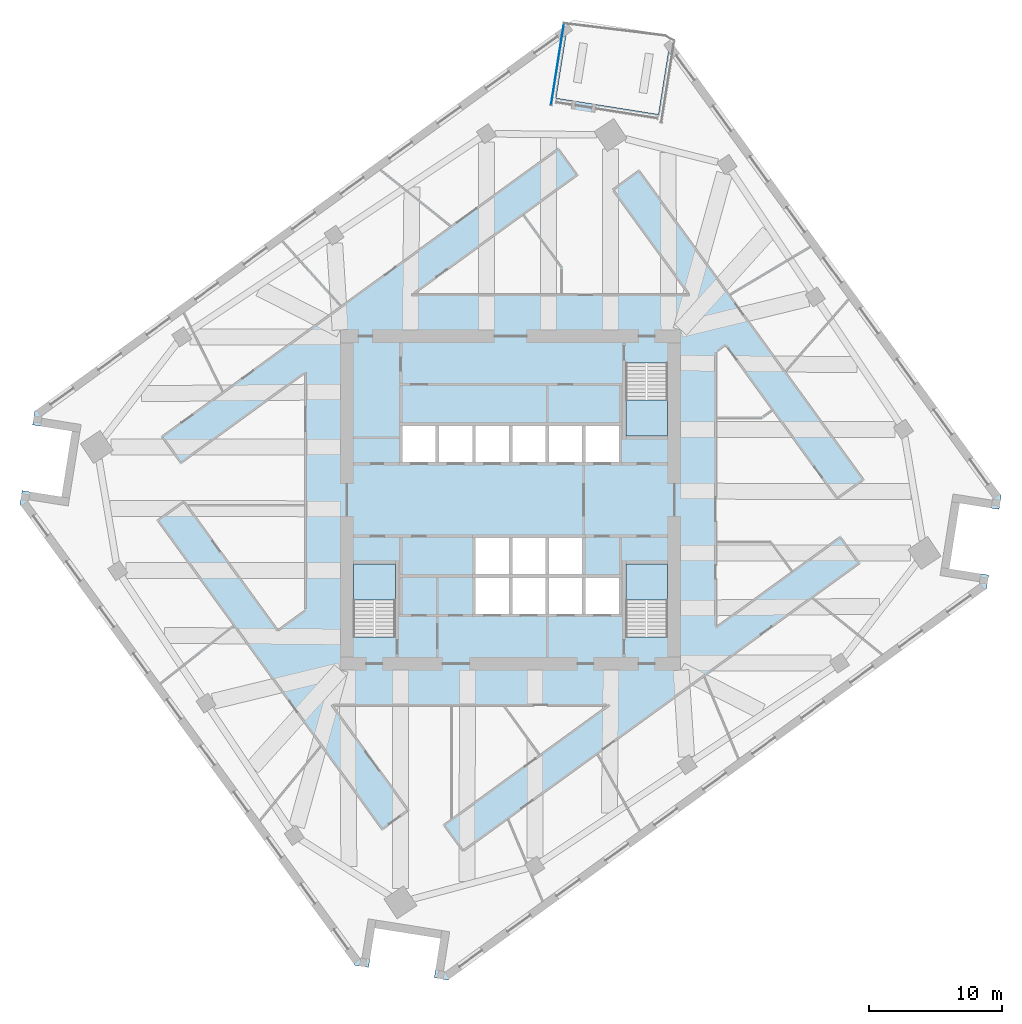
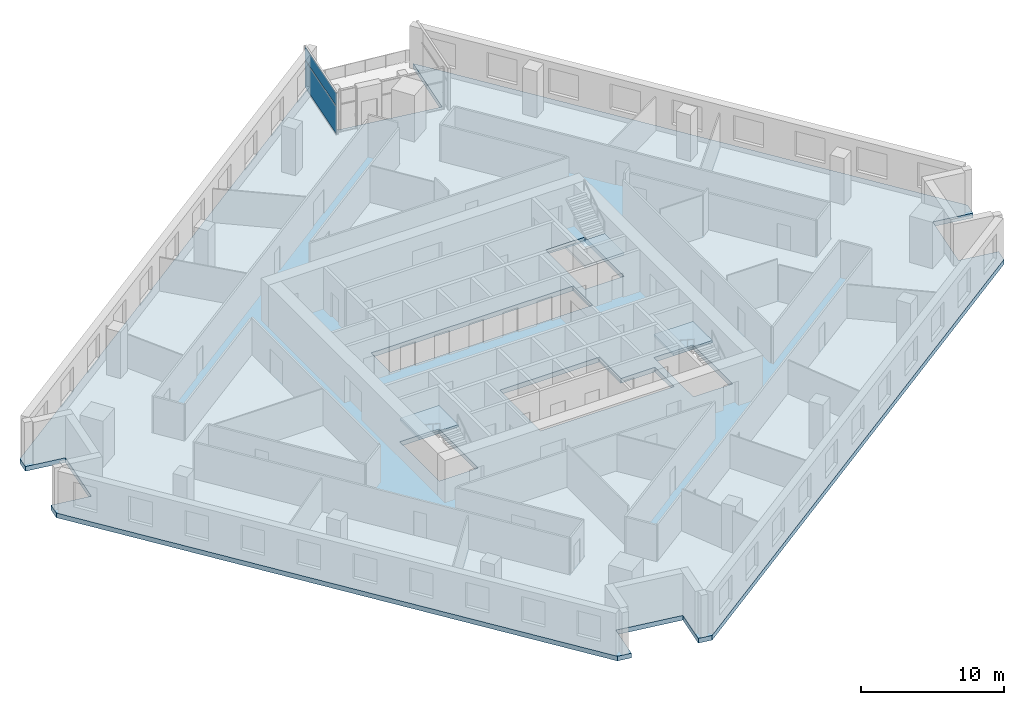
# One storey, part 3 of 11: 4 slabs, 2 plates, 4 elements without a shape of their own.
"""IFC4 building model written with IfcOpenShell, lengths in metres."""

from ifc_helpers import new_model, si_unit, direction, frame, origin, origin_2d, place, context, subcontext, project, spatial, polyline, rectangle, outline, extrude, material, layer, layer_set, type_object, element, aggregate, save


model = new_model("IFC4")

# Units and contexts
model_context = context("Model", 3, precision=1e-05, world=origin(), true_north=direction((0.0, 1.0)))
body_context = subcontext(model_context, "Body", "Model", "MODEL_VIEW")
ifc_project = project(units=[si_unit("LENGTHUNIT", "METRE"), si_unit("AREAUNIT", "SQUARE_METRE"), si_unit("VOLUMEUNIT", "CUBIC_METRE"), si_unit("PLANEANGLEUNIT", "RADIAN"), si_unit("MASSUNIT", "GRAM", prefix="KILO")], contexts=[model_context])

# Site, building, storey
site_placement = place(None, origin())
site = spatial("IfcSite", under=ifc_project, at=site_placement, CompositionType="ELEMENT")
building_placement = place(site_placement, origin())
building = spatial("IfcBuilding", under=site, at=building_placement, Name="Dilmun Exchange Tower", CompositionType="ELEMENT")
storey_placement = place(building_placement, frame((0.0, 0.0, 171.699951171875)))
storey = spatial("IfcBuildingStorey", under=building, at=storey_placement, Name="L40", CompositionType="ELEMENT", Elevation=171.699951171875)

# Stair, slab
ifc_material_1 = material(Name="Concrete C40/50", Category="concrete")
stair_type = type_object("IfcStairType", Name="Exit stair 1500 half-turn", PredefinedType="HALF_TURN_STAIR", material=ifc_material_1)
stair_1_placement = place(storey_placement, origin())
stair_1 = element("IfcStair", 1, at=stair_1_placement, inside=storey, type_object=stair_type, Name="L40 Protected exit stair ST1", PredefinedType="HALF_TURN_STAIR")
ifc_layer_1 = layer(ifc_material_1, 0.199951171875)
ifc_layer_set_1 = layer_set([ifc_layer_1], Name="Concrete C40/50")
slab_type_1 = type_object("IfcSlabType", Name="Exit stair landing 200", PredefinedType="LANDING", material=ifc_layer_set_1)
slab_1_placement = place(storey_placement, frame((0.0, 0.0, 1.800048828125)))
slab_1 = element("IfcSlab", 2, at=slab_1_placement, type_object=slab_type_1, Name="ST1 landing 1", PredefinedType="LANDING", context=body_context, shape_type="SweptSolid", body=[
    extrude(outline(polyline([(8.64990234375, 7.5), (8.64990234375, 4.800048828125), (11.800048828125, 4.800048828125), (11.800048828125, 7.5), (8.64990234375, 7.5)])), origin(), (0.0, 0.0, 1.0), 0.199951171875),
])
aggregate(stair_1, [slab_1])

stair_2_placement = place(storey_placement, origin())
stair_2 = element("IfcStair", 3, at=stair_2_placement, inside=storey, type_object=stair_type, Name="L40 Protected exit stair ST2", PredefinedType="HALF_TURN_STAIR")
slab_2_placement = place(storey_placement, frame((0.0, 0.0, 1.800048828125)))
slab_2 = element("IfcSlab", 4, at=slab_2_placement, type_object=slab_type_1, Name="ST2 landing 1", PredefinedType="LANDING", context=body_context, shape_type="SweptSolid", body=[
    extrude(outline(polyline([(-8.64990234375, -7.5), (-8.64990234375, -4.800048828125), (-11.800048828125, -4.800048828125), (-11.800048828125, -7.5), (-8.64990234375, -7.5)])), origin(), (0.0, 0.0, 1.0), 0.199951171875),
])
aggregate(stair_2, [slab_2])

stair_3_placement = place(storey_placement, origin())
stair_3 = element("IfcStair", 5, at=stair_3_placement, inside=storey, type_object=stair_type, Name="L40 Protected exit stair ST3", PredefinedType="HALF_TURN_STAIR")
slab_3_placement = place(storey_placement, frame((0.0, 0.0, 1.800048828125)))
slab_3 = element("IfcSlab", 6, at=slab_3_placement, type_object=slab_type_1, Name="ST3 landing 1", PredefinedType="LANDING", context=body_context, shape_type="SweptSolid", body=[
    extrude(outline(polyline([(11.800048828125, -7.5), (11.800048828125, -4.800048828125), (8.64990234375, -4.800048828125), (8.64990234375, -7.5), (11.800048828125, -7.5)])), origin(), (0.0, 0.0, 1.0), 0.199951171875),
])
aggregate(stair_3, [slab_3])

# Curtain wall, plates
ifc_material_2 = material(Name="Anodised aluminium and clear glass", Category="aluminium")
curtain_wall_type = type_object("IfcCurtainWallType", Name="Garden corner glazing", PredefinedType="NOTDEFINED", material=ifc_material_2)
curtain_wall_placement = place(storey_placement, origin())
curtain_wall = element("IfcCurtainWall", 7, at=curtain_wall_placement, inside=storey, type_object=curtain_wall_type, Name="Garden corner glazing run GC3.1", PredefinedType="NOTDEFINED")
ifc_material_3 = material(Name="Clear glass", Category="glass")
ifc_layer_2 = layer(ifc_material_3, 0.028076171875)
ifc_layer_set_2 = layer_set([ifc_layer_2], Name="Clear glass")
plate_type = type_object("IfcPlateType", Name="Garden corner glazing glass panel 28", PredefinedType="CURTAIN_PANEL", material=ifc_layer_set_2)
plate_1_placement = place(storey_placement, frame((3.5185546875, 32.720947265625, 0.06005859375), z_axis=(0.0, 0.0, 1.0), x_axis=(0.156441835751, 0.987687173161, 0.0)))
plate_1 = element("IfcPlate", 8, at=plate_1_placement, type_object=plate_type, Name="GC3.1 panel 1.1", PredefinedType="CURTAIN_PANEL", context=body_context, shape_type="SweptSolid", body=[
    extrude(rectangle(XDim=6.12646484375, YDim=0.028076171875, at=origin_2d()), origin(), (0.0, 0.0, 1.0), 2.31005859375),
])
plate_2_placement = place(storey_placement, frame((3.5185546875, 32.720947265625, 2.43017578125), z_axis=(0.0, 0.0, 1.0), x_axis=(0.156441835751, 0.987687173161, 0.0)))
plate_2 = element("IfcPlate", 9, at=plate_2_placement, type_object=plate_type, Name="GC3.1 panel 1.2", PredefinedType="CURTAIN_PANEL", context=body_context, shape_type="SweptSolid", body=[
    extrude(rectangle(XDim=6.12646484375, YDim=0.028076171875, at=origin_2d()), origin(), (0.0, 0.0, 1.0), 1.110107421875),
])
aggregate(curtain_wall, [plate_1, plate_2])

# Slab
ifc_layer_3 = layer(ifc_material_1, 0.39990234375)
ifc_layer_set_3 = layer_set([ifc_layer_3], Name="Concrete C40/50")
slab_type_2 = type_object("IfcSlabType", Name="RC floor slab 400", PredefinedType="FLOOR", material=ifc_layer_set_3)
slab_4_placement = place(storey_placement, frame((0.0, 0.0, -0.39990234375)))
element("IfcSlab", 10, at=slab_4_placement, inside=storey, type_object=slab_type_2, Name="Floor slab", PredefinedType="FLOOR", context=body_context, shape_type="SweptSolid", body=[
    extrude(outline(polyline([(36.68701171875, -0.7021484375), (33.72412109375, -0.23291015625), (32.94189453125, -5.17138671875), (35.90478515625, -5.640625), (35.742919921875, -6.663330078125), (-4.7080078125, -36.052734375), (-5.730712890625, -35.890625), (-5.261474609375, -32.927490234375), (-10.19970703125, -32.1455078125), (-10.669189453125, -35.1083984375), (-11.69189453125, -34.946533203125), (-36.84912109375, -0.320556640625), (-36.68701171875, 0.7021484375), (-33.72412109375, 0.23291015625), (-32.94189453125, 5.17138671875), (-35.90478515625, 5.640625), (-35.742919921875, 6.663330078125), (4.303466796875, 35.7587890625), (3.420166015625, 30.181884765625), (11.1025390625, 28.965087890625), (11.98583984375, 34.5419921875), (36.84912109375, 0.320556640625), (36.68701171875, -0.7021484375)]), holes=[polyline([(-8.64990234375, -4.800048828125), (-11.800048828125, -4.800048828125), (-11.800048828125, -10.294921875), (-8.64990234375, -10.294921875), (-8.64990234375, -4.800048828125)]), polyline([(11.800048828125, -4.800048828125), (8.64990234375, -4.800048828125), (8.64990234375, -10.294921875), (11.800048828125, -10.294921875), (11.800048828125, -4.800048828125)]), polyline([(5.375, -2.85009765625), (-2.625, -2.85009765625), (-2.625, -8.550048828125), (8.125, -8.550048828125), (8.125, -5.85009765625), (5.375, -5.85009765625), (5.375, -2.85009765625)]), polyline([(8.125, 2.85009765625), (8.125, 5.550048828125), (-8.125, 5.550048828125), (-8.125, 2.85009765625), (8.125, 2.85009765625)]), polyline([(8.64990234375, 10.294921875), (8.64990234375, 4.800048828125), (11.800048828125, 4.800048828125), (11.800048828125, 10.294921875), (8.64990234375, 10.294921875)])]), origin(), (0.0, 0.0, 1.0), 0.39990234375),
])

save(model, "model.ifc")
